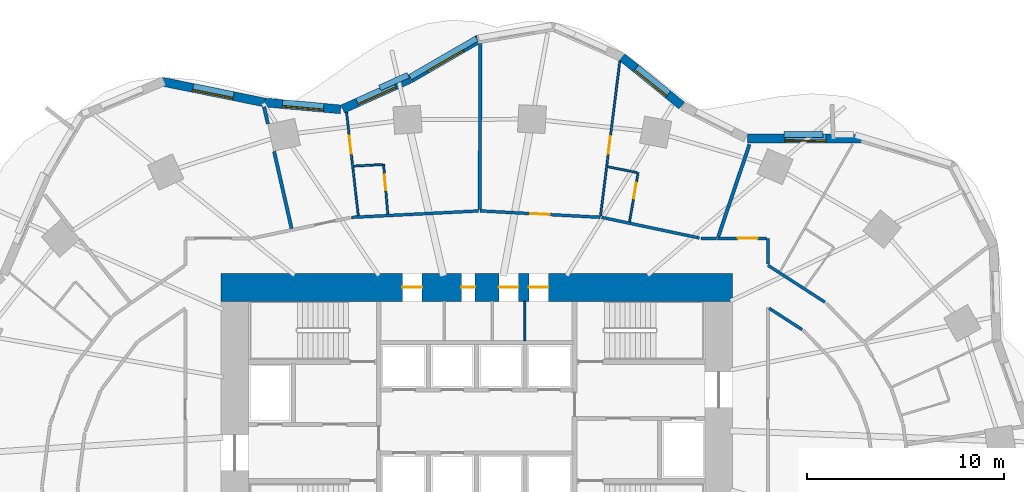
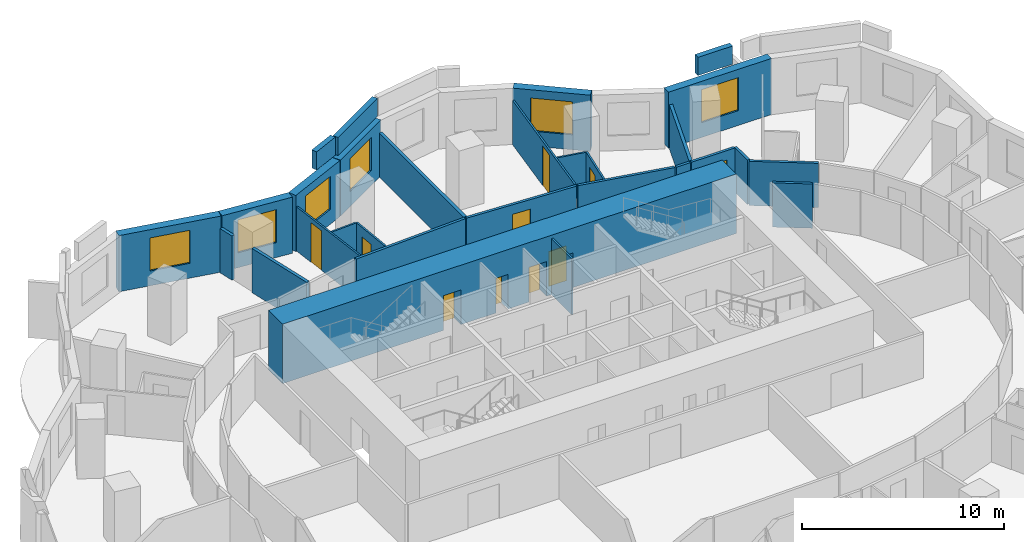
# One storey, part 10 of 14: 29 walls, 10 doors, 6 windows, 16 openings.
"""IFC4 building model written with IfcOpenShell, lengths in metres."""

from ifc_helpers import new_model, si_unit, direction, frame, frame_2d, origin, place, context, subcontext, project, spatial, rectangle, extrude, material, layer, layer_set, type_object, element, fill, save


model = new_model("IFC4")

# Units and contexts
model_context = context("Model", 3, precision=1e-05, world=origin(), true_north=direction((0.0, 1.0)))
body_context = subcontext(model_context, "Body", "Model", "MODEL_VIEW")
ifc_project = project(units=[si_unit("LENGTHUNIT", "METRE"), si_unit("AREAUNIT", "SQUARE_METRE"), si_unit("VOLUMEUNIT", "CUBIC_METRE"), si_unit("PLANEANGLEUNIT", "RADIAN"), si_unit("MASSUNIT", "GRAM", prefix="KILO")], contexts=[model_context])

# Site, building, storey
site_placement = place(None, origin())
site = spatial("IfcSite", under=ifc_project, at=site_placement, CompositionType="ELEMENT")
building_placement = place(site_placement, origin())
building = spatial("IfcBuilding", under=site, at=building_placement, Name="Rubra Terraces Tower", CompositionType="ELEMENT")
storey_placement = place(building_placement, frame((0.0, 0.0, 62.699951171875)))
storey = spatial("IfcBuildingStorey", under=building, at=storey_placement, Name="L13", CompositionType="ELEMENT", Elevation=62.699951171875)

# Walls
ifc_material_1 = material(Name="Twin plasterboard on staggered steel stud, acoustic mineral wool", Category="steel")
ifc_layer_1 = layer(ifc_material_1, 0.175048828125)
ifc_layer_set_1 = layer_set([ifc_layer_1], Name="Twin plasterboard on staggered steel stud, acoustic mineral wool")
wall_type_1 = type_object("IfcWallType", Name="ACOUSTIC PARTY WALL 175", PredefinedType="PARTITIONING", material=ifc_layer_set_1)
wall_1_placement = place(storey_placement, frame((13.86279296875, 18.57177734375, 0.0), z_axis=(0.0, 0.0, 1.0), x_axis=(-0.320254541028, -0.947331530643, 0.0)))
element("IfcWall", 1, at=wall_1_placement, inside=storey, type_object=wall_type_1, Name="PARTITION", PredefinedType="PARTITIONING", context=body_context, shape_type="SweptSolid", body=[
    extrude(rectangle(XDim=4.9619140625, YDim=0.175048828125, at=frame_2d((2.48095703125, 0.0))), origin(), (0.0, 0.0, 1.0), 2.679931640625),
])
wall_2_placement = place(storey_placement, frame((0.17919921875, 23.686767578125, 0.0), z_axis=(0.0, 0.0, 1.0), x_axis=(-0.001768574544, -0.999998436071, 0.0)))
element("IfcWall", 2, at=wall_2_placement, inside=storey, type_object=wall_type_1, Name="PARTITION", PredefinedType="PARTITIONING", context=body_context, shape_type="SweptSolid", body=[
    extrude(rectangle(XDim=8.420654296875, YDim=0.175048828125, at=frame_2d((4.21044921875, 0.0))), origin(), (0.0, 0.0, 1.0), 2.679931640625),
])
wall_3_placement = place(storey_placement, frame((-10.80029296875, 20.47900390625, 0.0), z_axis=(0.0, 0.0, 1.0), x_axis=(0.220786026072, -0.975322270171, 0.0)))
element("IfcWall", 3, at=wall_3_placement, inside=storey, type_object=wall_type_1, Name="PARTITION", PredefinedType="PARTITIONING", context=body_context, shape_type="SweptSolid", body=[
    extrude(rectangle(XDim=0.884521484375, YDim=0.175048828125, at=frame_2d((0.4423828125, 0.0))), origin(), (0.0, 0.0, 1.0), 2.679931640625),
])
wall_4_placement = place(storey_placement, frame((-10.28759765625, 18.21142578125, 0.0), z_axis=(0.0, 0.0, 1.0), x_axis=(0.220522195693, -0.975381956572, 0.0)))
element("IfcWall", 4, at=wall_4_placement, inside=storey, type_object=wall_type_1, Name="PARTITION", PredefinedType="PARTITIONING", context=body_context, shape_type="SweptSolid", body=[
    extrude(rectangle(XDim=4.014404296875, YDim=0.175048828125, at=frame_2d((2.00732421875, 0.0))), origin(), (0.0, 0.0, 1.0), 2.679931640625),
])

# Wall, opening, window
ifc_material_2 = material(Name="Brick masonry red-brown", Category="masonry")
ifc_layer_2 = layer(ifc_material_2, 0.449951171875)
ifc_layer_set_2 = layer_set([ifc_layer_2], Name="Brick masonry red-brown")
wall_type_2 = type_object("IfcWallType", Name="Brick facade wall 450", PredefinedType="SOLIDWALL", material=ifc_layer_set_2)
wall_5_placement = place(storey_placement, frame((19.650390625, 18.85693359375, 0.0), z_axis=(0.0, 0.0, 1.0), x_axis=(-0.999994750773, 0.003240127552, 0.0)))
wall_5 = element("IfcWall", 5, at=wall_5_placement, inside=storey, type_object=wall_type_2, Name="Facade wall L13 bay 6", PredefinedType="SOLIDWALL", context=body_context, shape_type="SweptSolid", body=[
    extrude(rectangle(XDim=5.877197265625, YDim=0.449951171875, at=frame_2d((2.9384765625, 0.0))), origin(), (0.0, 0.0, 1.0), 3.400146484375),
])
opening_1_placement = place(wall_5_placement, frame((1.888671875, 0.0, 0.89990234375)))
opening_1 = element("IfcOpeningElement", 6, at=opening_1_placement, cuts=wall_5, Name="Opening W1", PredefinedType="OPENING", context=body_context, shape_type="SweptSolid", body=[
    extrude(rectangle(XDim=2.10009765625, YDim=2.0, at=frame_2d((1.050048828125, 1.0))), frame((0.0, 0.23486328125, 0.0), z_axis=(0.0, -1.0, 0.0), x_axis=(1.0, 0.0, 0.0)), (0.0, 0.0, 1.0), 0.469970703125),
])
ifc_material_3 = material(Name="Clear glass in aluminium frame", Category="aluminium")
window_type = type_object("IfcWindowType", Name="Fixed deep-set window 2100 x 2000", PartitioningType="SINGLE_PANEL", PredefinedType="WINDOW", material=ifc_material_3)
window_1_placement = place(opening_1_placement, origin())
window_1 = element("IfcWindow", 7, at=window_1_placement, inside=storey, type_object=window_type, Name="Window L13 bay 6", OverallHeight=2.0, OverallWidth=2.10009765625, PartitioningType="SINGLE_PANEL", PredefinedType="WINDOW", context=body_context, shape_type="SweptSolid", body=[
    extrude(rectangle(XDim=2.10009765625, YDim=2.0, at=frame_2d((1.050048828125, 1.0))), frame((0.0, 0.135009765625, 0.0), z_axis=(0.0, -1.0, 0.0), x_axis=(1.0, 0.0, 0.0)), (0.0, 0.0, 1.0), 0.06005859375),
])
fill(opening_1, window_1)

wall_6_placement = place(storey_placement, frame((10.421875, 20.53857421875, 0.0), z_axis=(0.0, 0.0, 1.0), x_axis=(-0.775999170522, 0.63073392754, 0.0)))
wall_6 = element("IfcWall", 8, at=wall_6_placement, inside=storey, type_object=wall_type_2, Name="Facade wall L13 bay 8", PredefinedType="SOLIDWALL", context=body_context, shape_type="SweptSolid", body=[
    extrude(rectangle(XDim=3.902587890625, YDim=0.449951171875, at=frame_2d((1.951171875, 0.0))), origin(), (0.0, 0.0, 1.0), 3.400146484375),
])
opening_2_placement = place(wall_6_placement, frame((0.901123046875, 0.0, 0.89990234375)))
opening_2 = element("IfcOpeningElement", 9, at=opening_2_placement, cuts=wall_6, Name="Opening W1", PredefinedType="OPENING", context=body_context, shape_type="SweptSolid", body=[
    extrude(rectangle(XDim=2.10009765625, YDim=2.0, at=frame_2d((1.050048828125, 1.0))), frame((0.0, 0.23486328125, 0.0), z_axis=(0.0, -1.0, 0.0), x_axis=(1.0, 0.0, 0.0)), (0.0, 0.0, 1.0), 0.469970703125),
])
window_2_placement = place(opening_2_placement, origin())
window_2 = element("IfcWindow", 10, at=window_2_placement, inside=storey, type_object=window_type, Name="Window L13 bay 8", OverallHeight=2.0, OverallWidth=2.10009765625, PartitioningType="SINGLE_PANEL", PredefinedType="WINDOW", context=body_context, shape_type="SweptSolid", body=[
    extrude(rectangle(XDim=2.10009765625, YDim=2.0, at=frame_2d((1.050048828125, 1.0))), frame((0.0, 0.135009765625, 0.0), z_axis=(0.0, -1.0, 0.0), x_axis=(1.0, 0.0, 0.0)), (0.0, 0.0, 1.0), 0.06005859375),
])
fill(opening_2, window_2)

wall_7_placement = place(storey_placement, frame((0.109375, 23.92041015625, 0.0), z_axis=(0.0, 0.0, 1.0), x_axis=(-0.865557769603, -0.500809092848, 0.0)))
wall_7 = element("IfcWall", 11, at=wall_7_placement, inside=storey, type_object=wall_type_2, Name="Facade wall L13 bay 11", PredefinedType="SOLIDWALL", context=body_context, shape_type="SweptSolid", body=[
    extrude(rectangle(XDim=4.024658203125, YDim=0.449951171875, at=frame_2d((2.01220703125, 0.0))), origin(), (0.0, 0.0, 1.0), 3.400146484375),
])
opening_3_placement = place(wall_7_placement, frame((0.96240234375, 0.0, 0.89990234375)))
opening_3 = element("IfcOpeningElement", 12, at=opening_3_placement, cuts=wall_7, Name="Opening W1", PredefinedType="OPENING", context=body_context, shape_type="SweptSolid", body=[
    extrude(rectangle(XDim=2.10009765625, YDim=2.0, at=frame_2d((1.050048828125, 1.0))), frame((0.0, 0.23486328125, 0.0), z_axis=(0.0, -1.0, 0.0), x_axis=(1.0, 0.0, 0.0)), (0.0, 0.0, 1.0), 0.469970703125),
])
window_3_placement = place(opening_3_placement, origin())
window_3 = element("IfcWindow", 13, at=window_3_placement, inside=storey, type_object=window_type, Name="Window L13 bay 11", OverallHeight=2.0, OverallWidth=2.10009765625, PartitioningType="SINGLE_PANEL", PredefinedType="WINDOW", context=body_context, shape_type="SweptSolid", body=[
    extrude(rectangle(XDim=2.10009765625, YDim=2.0, at=frame_2d((1.050048828125, 1.0))), frame((0.0, 0.135009765625, 0.0), z_axis=(0.0, -1.0, 0.0), x_axis=(1.0, 0.0, 0.0)), (0.0, 0.0, 1.0), 0.06005859375),
])
fill(opening_3, window_3)

wall_8_placement = place(storey_placement, frame((-3.395263671875, 21.894287109375, 0.0), z_axis=(0.0, 0.0, 1.0), x_axis=(-0.912496703183, -0.409084058208, 0.0)))
wall_8 = element("IfcWall", 14, at=wall_8_placement, inside=storey, type_object=wall_type_2, Name="Facade wall L13 bay 12", PredefinedType="SOLIDWALL", context=body_context, shape_type="SweptSolid", body=[
    extrude(rectangle(XDim=3.73486328125, YDim=0.449951171875, at=frame_2d((1.867431640625, 0.0))), origin(), (0.0, 0.0, 1.0), 3.400146484375),
])
opening_4_placement = place(wall_8_placement, frame((0.8173828125, 0.0, 0.89990234375)))
opening_4 = element("IfcOpeningElement", 15, at=opening_4_placement, cuts=wall_8, Name="Opening W1", PredefinedType="OPENING", context=body_context, shape_type="SweptSolid", body=[
    extrude(rectangle(XDim=2.10009765625, YDim=2.0, at=frame_2d((1.050048828125, 1.0))), frame((0.0, 0.23486328125, 0.0), z_axis=(0.0, -1.0, 0.0), x_axis=(1.0, 0.0, 0.0)), (0.0, 0.0, 1.0), 0.469970703125),
])
window_4_placement = place(opening_4_placement, origin())
window_4 = element("IfcWindow", 16, at=window_4_placement, inside=storey, type_object=window_type, Name="Window L13 bay 12", OverallHeight=2.0, OverallWidth=2.10009765625, PartitioningType="SINGLE_PANEL", PredefinedType="WINDOW", context=body_context, shape_type="SweptSolid", body=[
    extrude(rectangle(XDim=2.10009765625, YDim=2.0, at=frame_2d((1.050048828125, 1.0))), frame((0.0, 0.135009765625, 0.0), z_axis=(0.0, -1.0, 0.0), x_axis=(1.0, 0.0, 0.0)), (0.0, 0.0, 1.0), 0.06005859375),
])
fill(opening_4, window_4)

wall_9_placement = place(storey_placement, frame((-6.905517578125, 20.348876953125, 0.0), z_axis=(0.0, 0.0, 1.0), x_axis=(-0.995947174038, 0.089940127451, 0.0)))
wall_9 = element("IfcWall", 17, at=wall_9_placement, inside=storey, type_object=wall_type_2, Name="Facade wall L13 bay 13", PredefinedType="SOLIDWALL", context=body_context, shape_type="SweptSolid", body=[
    extrude(rectangle(XDim=3.84375, YDim=0.449951171875, at=frame_2d((1.921875, 0.0))), origin(), (0.0, 0.0, 1.0), 3.400146484375),
])
opening_5_placement = place(wall_9_placement, frame((0.871826171875, 0.0, 0.89990234375)))
opening_5 = element("IfcOpeningElement", 18, at=opening_5_placement, cuts=wall_9, Name="Opening W1", PredefinedType="OPENING", context=body_context, shape_type="SweptSolid", body=[
    extrude(rectangle(XDim=2.10009765625, YDim=2.0, at=frame_2d((1.050048828125, 1.0))), frame((0.0, 0.23486328125, 0.0), z_axis=(0.0, -1.0, 0.0), x_axis=(1.0, 0.0, 0.0)), (0.0, 0.0, 1.0), 0.469970703125),
])
window_5_placement = place(opening_5_placement, origin())
window_5 = element("IfcWindow", 19, at=window_5_placement, inside=storey, type_object=window_type, Name="Window L13 bay 13", OverallHeight=2.0, OverallWidth=2.10009765625, PartitioningType="SINGLE_PANEL", PredefinedType="WINDOW", context=body_context, shape_type="SweptSolid", body=[
    extrude(rectangle(XDim=2.10009765625, YDim=2.0, at=frame_2d((1.050048828125, 1.0))), frame((0.0, 0.135009765625, 0.0), z_axis=(0.0, -1.0, 0.0), x_axis=(1.0, 0.0, 0.0)), (0.0, 0.0, 1.0), 0.06005859375),
])
fill(opening_5, window_5)

wall_10_placement = place(storey_placement, frame((-10.760009765625, 20.697998046875, 0.0), z_axis=(0.0, 0.0, 1.0), x_axis=(-0.980072890434, 0.198638187256, 0.0)))
wall_10 = element("IfcWall", 20, at=wall_10_placement, inside=storey, type_object=wall_type_2, Name="Facade wall L13 bay 14", PredefinedType="SOLIDWALL", context=body_context, shape_type="SweptSolid", body=[
    extrude(rectangle(XDim=5.35986328125, YDim=0.449951171875, at=frame_2d((2.679931640625, 0.0))), origin(), (0.0, 0.0, 1.0), 3.400146484375),
])
opening_6_placement = place(wall_10_placement, frame((1.630126953125, 0.0, 0.89990234375)))
opening_6 = element("IfcOpeningElement", 21, at=opening_6_placement, cuts=wall_10, Name="Opening W1", PredefinedType="OPENING", context=body_context, shape_type="SweptSolid", body=[
    extrude(rectangle(XDim=2.10009765625, YDim=2.0, at=frame_2d((1.050048828125, 1.0))), frame((0.0, 0.23486328125, 0.0), z_axis=(0.0, -1.0, 0.0), x_axis=(1.0, 0.0, 0.0)), (0.0, 0.0, 1.0), 0.469970703125),
])
window_6_placement = place(opening_6_placement, origin())
window_6 = element("IfcWindow", 22, at=window_6_placement, inside=storey, type_object=window_type, Name="Window L13 bay 14", OverallHeight=2.0, OverallWidth=2.10009765625, PartitioningType="SINGLE_PANEL", PredefinedType="WINDOW", context=body_context, shape_type="SweptSolid", body=[
    extrude(rectangle(XDim=2.10009765625, YDim=2.0, at=frame_2d((1.050048828125, 1.0))), frame((0.0, 0.135009765625, 0.0), z_axis=(0.0, -1.0, 0.0), x_axis=(1.0, 0.0, 0.0)), (0.0, 0.0, 1.0), 0.06005859375),
])
fill(opening_6, window_6)

# Walls
ifc_layer_3 = layer(ifc_material_2, 0.300048828125)
ifc_layer_set_3 = layer_set([ifc_layer_3], Name="Brick masonry red-brown")
wall_type_3 = type_object("IfcWallType", Name="Brick parapet 300", PredefinedType="PARAPET", material=ifc_layer_set_3)
wall_11_placement = place(storey_placement, frame((17.596435546875, 19.069091796875, 3.60009765625), z_axis=(0.0, 0.0, 1.0), x_axis=(-0.999994488127, 0.003320198128, 0.0)))
element("IfcWall", 23, at=wall_11_placement, inside=storey, type_object=wall_type_3, Name="Parapet L13 bay 6.2", PredefinedType="PARAPET", context=body_context, shape_type="SweptSolid", body=[
    extrude(rectangle(XDim=1.9853515625, YDim=0.300048828125, at=frame_2d((0.99267578125, 0.0))), origin(), (0.0, 0.0, 1.0), 1.099853515625),
])
wall_12_placement = place(storey_placement, frame((0.002197265625, 23.945068359375, 3.60009765625), z_axis=(0.0, 0.0, 1.0), x_axis=(-0.865550152763, -0.500822256945, 0.0)))
element("IfcWall", 24, at=wall_12_placement, inside=storey, type_object=wall_type_3, Name="Parapet L13 bay 11", PredefinedType="PARAPET", context=body_context, shape_type="SweptSolid", body=[
    extrude(rectangle(XDim=3.91259765625, YDim=0.300048828125, at=frame_2d((1.956298828125, 0.0))), origin(), (0.0, 0.0, 1.0), 1.099853515625),
])
wall_13_placement = place(storey_placement, frame((-3.4775390625, 22.0869140625, 3.60009765625), z_axis=(0.0, 0.0, 1.0), x_axis=(-0.91246752391, -0.409149138835, 0.0)))
element("IfcWall", 25, at=wall_13_placement, inside=storey, type_object=wall_type_3, Name="Parapet L13 bay 12", PredefinedType="PARAPET", context=body_context, shape_type="SweptSolid", body=[
    extrude(rectangle(XDim=1.578857421875, YDim=0.300048828125, at=frame_2d((0.78955078125, 0.0))), origin(), (0.0, 0.0, 1.0), 1.099853515625),
])

# Wall, openings, doors
ifc_material_4 = material(Name="Concrete C70", Category="concrete")
ifc_layer_4 = layer(ifc_material_4, 1.39990234375)
ifc_layer_set_4 = layer_set([ifc_layer_4], Name="Concrete C70")
wall_type_4 = type_object("IfcWallType", Name="CORE WALL 1400 C70", PredefinedType="SHEAR", material=ifc_layer_set_4)
wall_14_placement = place(storey_placement, frame((-13.0, 11.300048828125, 0.0), z_axis=(0.0, 0.0, 1.0), x_axis=(1.0, 0.0, 0.0)))
wall_14 = element("IfcWall", 26, at=wall_14_placement, inside=storey, type_object=wall_type_4, Name="CORE WALL N L13", PredefinedType="SHEAR", context=body_context, shape_type="SweptSolid", body=[
    extrude(rectangle(XDim=26.0, YDim=1.39990234375, at=frame_2d((13.0, 0.0))), origin(), (0.0, 0.0, 1.0), 3.60009765625),
])
opening_7_placement = place(wall_14_placement, frame((9.22509765625, 0.0, 0.0)))
opening_7 = element("IfcOpeningElement", 27, at=opening_7_placement, cuts=wall_14, Name="Opening L13.C23", PredefinedType="OPENING", context=body_context, shape_type="SweptSolid", body=[
    extrude(rectangle(XDim=1.0, YDim=2.10009765625, at=frame_2d((0.5, 1.050048828125))), frame((0.0, 0.7099609375, 0.0), z_axis=(0.0, -1.0, 0.0), x_axis=(1.0, 0.0, 0.0)), (0.0, 0.0, 1.0), 1.419921875),
])
opening_8_placement = place(wall_14_placement, frame((12.22509765625, 0.0, 0.0)))
opening_8 = element("IfcOpeningElement", 28, at=opening_8_placement, cuts=wall_14, Name="Opening L13.C24", PredefinedType="OPENING", context=body_context, shape_type="SweptSolid", body=[
    extrude(rectangle(XDim=0.699951171875, YDim=2.10009765625, at=frame_2d((0.35009765625, 1.050048828125))), frame((0.0, 0.7099609375, 0.0), z_axis=(0.0, -1.0, 0.0), x_axis=(1.0, 0.0, 0.0)), (0.0, 0.0, 1.0), 1.419921875),
])
opening_9_placement = place(wall_14_placement, frame((14.125, 0.0, 0.0)))
opening_9 = element("IfcOpeningElement", 29, at=opening_9_placement, cuts=wall_14, Name="Opening L13.C25", PredefinedType="OPENING", context=body_context, shape_type="SweptSolid", body=[
    extrude(rectangle(XDim=1.0, YDim=2.10009765625, at=frame_2d((0.5, 1.050048828125))), frame((0.0, 0.7099609375, 0.0), z_axis=(0.0, -1.0, 0.0), x_axis=(1.0, 0.0, 0.0)), (0.0, 0.0, 1.0), 1.419921875),
])
opening_10_placement = place(wall_14_placement, frame((15.64990234375, 0.0, 0.0)))
opening_10 = element("IfcOpeningElement", 30, at=opening_10_placement, cuts=wall_14, Name="Opening L13.C26", PredefinedType="OPENING", context=body_context, shape_type="SweptSolid", body=[
    extrude(rectangle(XDim=1.0, YDim=2.10009765625, at=frame_2d((0.5, 1.050048828125))), frame((0.0, 0.7099609375, 0.0), z_axis=(0.0, -1.0, 0.0), x_axis=(1.0, 0.0, 0.0)), (0.0, 0.0, 1.0), 1.419921875),
])
ifc_material_5 = material(Name="Painted steel", Category="steel")
door_type_1 = type_object("IfcDoorType", Name="Fire door 1000x2100 single", OperationType="NOTDEFINED", PredefinedType="DOOR", material=ifc_material_5)
door_1_placement = place(opening_7_placement, origin())
door_1 = element("IfcDoor", 31, at=door_1_placement, inside=storey, type_object=door_type_1, Name="Ice and vending room door", OperationType="SINGLE_SWING_LEFT", OverallHeight=2.10009765625, OverallWidth=1.0, PredefinedType="DOOR", context=body_context, shape_type="SweptSolid", body=[
    extrude(rectangle(XDim=1.0, YDim=2.10009765625, at=frame_2d((0.5, 1.050048828125))), frame((0.0, 0.02490234375, 0.0), z_axis=(0.0, -1.0, 0.0), x_axis=(1.0, 0.0, 0.0)), (0.0, 0.0, 1.0), 0.050048828125),
])
fill(opening_7, door_1)
door_2_placement = place(opening_9_placement, origin())
door_2 = element("IfcDoor", 32, at=door_2_placement, inside=storey, type_object=door_type_1, Name="Accessible WC door", OperationType="SINGLE_SWING_LEFT", OverallHeight=2.10009765625, OverallWidth=1.0, PredefinedType="DOOR", context=body_context, shape_type="SweptSolid", body=[
    extrude(rectangle(XDim=1.0, YDim=2.10009765625, at=frame_2d((0.5, 1.050048828125))), frame((0.0, 0.02490234375, 0.0), z_axis=(0.0, -1.0, 0.0), x_axis=(1.0, 0.0, 0.0)), (0.0, 0.0, 1.0), 0.050048828125),
])
fill(opening_9, door_2)
door_3_placement = place(opening_10_placement, origin())
door_3 = element("IfcDoor", 33, at=door_3_placement, inside=storey, type_object=door_type_1, Name="Refuse room door", OperationType="SINGLE_SWING_RIGHT", OverallHeight=2.10009765625, OverallWidth=1.0, PredefinedType="DOOR", context=body_context, shape_type="SweptSolid", body=[
    extrude(rectangle(XDim=1.0, YDim=2.10009765625, at=frame_2d((0.5, 1.050048828125))), frame((0.0, 0.02490234375, 0.0), z_axis=(0.0, -1.0, 0.0), x_axis=(1.0, 0.0, 0.0)), (0.0, 0.0, 1.0), 0.050048828125),
])
fill(opening_10, door_3)
door_type_2 = type_object("IfcDoorType", Name="Riser access door 700x2100 single", OperationType="NOTDEFINED", PredefinedType="DOOR", material=ifc_material_5)
door_4_placement = place(opening_8_placement, origin())
door_4 = element("IfcDoor", 34, at=door_4_placement, inside=storey, type_object=door_type_2, Name="Telecoms room door", OperationType="SINGLE_SWING_RIGHT", OverallHeight=2.10009765625, OverallWidth=0.699951171875, PredefinedType="DOOR", context=body_context, shape_type="SweptSolid", body=[
    extrude(rectangle(XDim=0.699951171875, YDim=2.10009765625, at=frame_2d((0.35009765625, 1.050048828125))), frame((0.0, 0.02490234375, 0.0), z_axis=(0.0, -1.0, 0.0), x_axis=(1.0, 0.0, 0.0)), (0.0, 0.0, 1.0), 0.050048828125),
])
fill(opening_8, door_4)

# Walls
ifc_material_6 = material(Name="Plasterboard on steel stud, mineral wool infill", Category="steel")
ifc_layer_5 = layer(ifc_material_6, 0.14990234375)
ifc_layer_set_5 = layer_set([ifc_layer_5], Name="Plasterboard on steel stud, mineral wool infill")
wall_type_5 = type_object("IfcWallType", Name="CORRIDOR PARTITION 150", PredefinedType="PARTITIONING", material=ifc_layer_set_5)
wall_15_placement = place(storey_placement, frame((17.691162109375, 10.55615234375, 0.0), z_axis=(0.0, 0.0, 1.0), x_axis=(-0.839564450265, 0.54326009779, 0.0)))
element("IfcWall", 35, at=wall_15_placement, inside=storey, type_object=wall_type_5, Name="PARTITION", PredefinedType="PARTITIONING", context=body_context, shape_type="SweptSolid", body=[
    extrude(rectangle(XDim=3.443359375, YDim=0.14990234375, at=frame_2d((1.7216796875, 0.0))), origin(), (0.0, 0.0, 1.0), 2.679931640625),
])
wall_16_placement = place(storey_placement, frame((14.80029296875, 12.501708984375, 0.0), z_axis=(0.0, 0.0, 1.0), x_axis=(-0.000188040613, 0.99999998232, 0.0)))
element("IfcWall", 36, at=wall_16_placement, inside=storey, type_object=wall_type_5, Name="PARTITION", PredefinedType="PARTITIONING", context=body_context, shape_type="SweptSolid", body=[
    extrude(rectangle(XDim=1.29833984375, YDim=0.14990234375, at=frame_2d((0.649169921875, 0.0))), origin(), (0.0, 0.0, 1.0), 2.679931640625),
])

# Wall, opening, door
wall_17_placement = place(storey_placement, frame((14.72509765625, 13.800048828125, 0.0), z_axis=(0.0, 0.0, 1.0), x_axis=(-1.0, 0.0, 0.0)))
wall_17 = element("IfcWall", 37, at=wall_17_placement, inside=storey, type_object=wall_type_5, Name="PARTITION", PredefinedType="PARTITIONING", context=body_context, shape_type="SweptSolid", body=[
    extrude(rectangle(XDim=2.4755859375, YDim=0.14990234375, at=frame_2d((1.23779296875, 0.0))), origin(), (0.0, 0.0, 1.0), 2.679931640625),
])
opening_11_placement = place(wall_17_placement, frame((0.449951171875, 0.0, 0.0)))
opening_11 = element("IfcOpeningElement", 38, at=opening_11_placement, cuts=wall_17, Name="Opening 13-103", PredefinedType="OPENING", context=body_context, shape_type="SweptSolid", body=[
    extrude(rectangle(XDim=1.0, YDim=2.10009765625, at=frame_2d((0.5, 1.050048828125))), frame((0.0, 0.0849609375, 0.0), z_axis=(0.0, -1.0, 0.0), x_axis=(1.0, 0.0, 0.0)), (0.0, 0.0, 1.0), 0.169921875),
])
ifc_material_7 = material(Name="Painted timber door leaf", Category="wood")
door_type_3 = type_object("IfcDoorType", Name="ROOM DOOR 1000 X 2100", OperationType="SINGLE_SWING_LEFT", PredefinedType="DOOR", material=ifc_material_7)
door_5_placement = place(opening_11_placement, origin())
door_5 = element("IfcDoor", 39, at=door_5_placement, inside=storey, type_object=door_type_3, Name="DOOR 13-103", OperationType="SINGLE_SWING_RIGHT", OverallHeight=2.10009765625, OverallWidth=1.0, PredefinedType="DOOR", context=body_context, shape_type="SweptSolid", body=[
    extrude(rectangle(XDim=1.0, YDim=2.10009765625, at=frame_2d((0.5, 1.050048828125))), frame((0.0, 0.02490234375, 0.0), z_axis=(0.0, -1.0, 0.0), x_axis=(1.0, 0.0, 0.0)), (0.0, 0.0, 1.0), 0.050048828125),
])
fill(opening_11, door_5)

# Walls
wall_18_placement = place(storey_placement, frame((12.174560546875, 13.800048828125, 0.0), z_axis=(0.0, 0.0, 1.0), x_axis=(-1.0, 0.0, 0.0)))
element("IfcWall", 40, at=wall_18_placement, inside=storey, type_object=wall_type_5, Name="PARTITION", PredefinedType="PARTITIONING", context=body_context, shape_type="SweptSolid", body=[
    extrude(rectangle(XDim=0.78515625, YDim=0.14990234375, at=frame_2d((0.392578125, 0.0))), origin(), (0.0, 0.0, 1.0), 2.679931640625),
])
wall_19_placement = place(storey_placement, frame((11.31591796875, 13.8154296875, 0.0), z_axis=(0.0, 0.0, 1.0), x_axis=(-0.978460774853, 0.206432827025, 0.0)))
element("IfcWall", 41, at=wall_19_placement, inside=storey, type_object=wall_type_5, Name="PARTITION", PredefinedType="PARTITIONING", context=body_context, shape_type="SweptSolid", body=[
    extrude(rectangle(XDim=5.06884765625, YDim=0.14990234375, at=frame_2d((2.534423828125, 0.0))), origin(), (0.0, 0.0, 1.0), 2.679931640625),
])

# Wall, opening, door
wall_20_placement = place(storey_placement, frame((6.281494140625, 14.86572265625, 0.0), z_axis=(0.0, 0.0, 1.0), x_axis=(-0.998587832803, 0.053125701673, 0.0)))
wall_20 = element("IfcWall", 42, at=wall_20_placement, inside=storey, type_object=wall_type_5, Name="PARTITION", PredefinedType="PARTITIONING", context=body_context, shape_type="SweptSolid", body=[
    extrude(rectangle(XDim=6.125732421875, YDim=0.14990234375, at=frame_2d((3.06298828125, 0.0))), origin(), (0.0, 0.0, 1.0), 2.679931640625),
])
opening_12_placement = place(wall_20_placement, frame((2.56103515625, 0.0, 0.0)))
opening_12 = element("IfcOpeningElement", 43, at=opening_12_placement, cuts=wall_20, Name="Opening 13-106", PredefinedType="OPENING", context=body_context, shape_type="SweptSolid", body=[
    extrude(rectangle(XDim=1.0, YDim=2.10009765625, at=frame_2d((0.5, 1.050048828125))), frame((0.0, 0.0849609375, 0.0), z_axis=(0.0, -1.0, 0.0), x_axis=(1.0, 0.0, 0.0)), (0.0, 0.0, 1.0), 0.169921875),
])
door_6_placement = place(opening_12_placement, origin())
door_6 = element("IfcDoor", 44, at=door_6_placement, inside=storey, type_object=door_type_3, Name="DOOR 13-106", OperationType="SINGLE_SWING_RIGHT", OverallHeight=2.10009765625, OverallWidth=1.0, PredefinedType="DOOR", context=body_context, shape_type="SweptSolid", body=[
    extrude(rectangle(XDim=1.0, YDim=2.10009765625, at=frame_2d((0.5, 1.050048828125))), frame((0.0, 0.02490234375, 0.0), z_axis=(0.0, -1.0, 0.0), x_axis=(1.0, 0.0, 0.0)), (0.0, 0.0, 1.0), 0.050048828125),
])
fill(opening_12, door_6)

# Walls
wall_21_placement = place(storey_placement, frame((0.08935546875, 15.1875, 0.0), z_axis=(0.0, 0.0, 1.0), x_axis=(-0.998725880164, -0.050464009853, 0.0)))
element("IfcWall", 45, at=wall_21_placement, inside=storey, type_object=wall_type_5, Name="PARTITION", PredefinedType="PARTITIONING", context=body_context, shape_type="SweptSolid", body=[
    extrude(rectangle(XDim=6.453857421875, YDim=0.14990234375, at=frame_2d((3.22705078125, 0.0))), origin(), (0.0, 0.0, 1.0), 2.679931640625),
])
wall_22_placement = place(storey_placement, frame((14.863037109375, 10.242431640625, 0.0), z_axis=(0.0, 0.0, 1.0), x_axis=(0.839530811724, -0.543312079901, 0.0)))
element("IfcWall", 46, at=wall_22_placement, inside=storey, type_object=wall_type_5, Name="PARTITION", PredefinedType="PARTITIONING", context=body_context, shape_type="SweptSolid", body=[
    extrude(rectangle(XDim=1.997802734375, YDim=0.14990234375, at=frame_2d((0.9990234375, 0.0))), origin(), (0.0, 0.0, 1.0), 2.679931640625),
])

# Wall, opening, door
ifc_material_8 = material(Name="Plasterboard on steel stud", Category="steel")
ifc_layer_6 = layer(ifc_material_8, 0.10009765625)
ifc_layer_set_6 = layer_set([ifc_layer_6], Name="Plasterboard on steel stud")
wall_type_6 = type_object("IfcWallType", Name="ROOM PARTITION 100", PredefinedType="PARTITIONING", material=ifc_layer_set_6)
wall_23_placement = place(storey_placement, frame((7.27490234375, 22.794921875, 0.0), z_axis=(0.0, 0.0, 1.0), x_axis=(-0.123890489741, -0.992295896672, 0.0)))
wall_23 = element("IfcWall", 47, at=wall_23_placement, inside=storey, type_object=wall_type_6, Name="PARTITION", PredefinedType="PARTITIONING", context=body_context, shape_type="SweptSolid", body=[
    extrude(rectangle(XDim=7.916015625, YDim=0.10009765625, at=frame_2d((3.9580078125, 0.0))), origin(), (0.0, 0.0, 1.0), 2.679931640625),
])
opening_13_placement = place(wall_23_placement, frame((3.841064453125, 0.0, 0.0)))
opening_13 = element("IfcOpeningElement", 48, at=opening_13_placement, cuts=wall_23, Name="Opening 13-105", PredefinedType="OPENING", context=body_context, shape_type="SweptSolid", body=[
    extrude(rectangle(XDim=0.89990234375, YDim=2.39990234375, at=frame_2d((0.449951171875, 1.199951171875))), frame((0.0, 0.06005859375, 0.0), z_axis=(0.0, -1.0, 0.0), x_axis=(1.0, 0.0, 0.0)), (0.0, 0.0, 1.0), 0.1201171875),
])
ifc_material_9 = material(Name="Veneered timber door leaf, fire-rated", Category="wood")
door_type_4 = type_object("IfcDoorType", Name="SUITE ENTRANCE DOOR 900 X 2400", OperationType="SINGLE_SWING_LEFT", PredefinedType="DOOR", material=ifc_material_9)
door_7_placement = place(opening_13_placement, origin())
door_7 = element("IfcDoor", 49, at=door_7_placement, inside=storey, type_object=door_type_4, Name="DOOR 13-105", OperationType="SINGLE_SWING_LEFT", OverallHeight=2.39990234375, OverallWidth=0.89990234375, PredefinedType="DOOR", context=body_context, shape_type="SweptSolid", body=[
    extrude(rectangle(XDim=0.89990234375, YDim=2.39990234375, at=frame_2d((0.449951171875, 1.199951171875))), frame((0.0, 0.02490234375, 0.0), z_axis=(0.0, -1.0, 0.0), x_axis=(1.0, 0.0, 0.0)), (0.0, 0.0, 1.0), 0.050048828125),
])
fill(opening_13, door_7)

wall_24_placement = place(storey_placement, frame((7.76708984375, 14.640869140625, 0.0), z_axis=(0.0, 0.0, 1.0), x_axis=(0.172985442563, 0.984924381189, 0.0)))
wall_24 = element("IfcWall", 50, at=wall_24_placement, inside=storey, type_object=wall_type_6, Name="PARTITION", PredefinedType="PARTITIONING", context=body_context, shape_type="SweptSolid", body=[
    extrude(rectangle(XDim=2.52490234375, YDim=0.10009765625, at=frame_2d((1.262451171875, 0.0))), origin(), (0.0, 0.0, 1.0), 2.679931640625),
])
opening_14_placement = place(wall_24_placement, frame((1.199951171875, 0.0, 0.0)))
opening_14 = element("IfcOpeningElement", 51, at=opening_14_placement, cuts=wall_24, Name="Opening 13-104", PredefinedType="OPENING", context=body_context, shape_type="SweptSolid", body=[
    extrude(rectangle(XDim=0.800048828125, YDim=2.10009765625, at=frame_2d((0.39990234375, 1.050048828125))), frame((0.0, 0.06005859375, 0.0), z_axis=(0.0, -1.0, 0.0), x_axis=(1.0, 0.0, 0.0)), (0.0, 0.0, 1.0), 0.1201171875),
])
door_type_5 = type_object("IfcDoorType", Name="BATHROOM DOOR 800 X 2100", OperationType="SINGLE_SWING_LEFT", PredefinedType="DOOR", material=ifc_material_7)
door_8_placement = place(opening_14_placement, origin())
door_8 = element("IfcDoor", 52, at=door_8_placement, inside=storey, type_object=door_type_5, Name="DOOR 13-104", OperationType="SINGLE_SWING_LEFT", OverallHeight=2.10009765625, OverallWidth=0.800048828125, PredefinedType="DOOR", context=body_context, shape_type="SweptSolid", body=[
    extrude(rectangle(XDim=0.800048828125, YDim=2.10009765625, at=frame_2d((0.39990234375, 1.050048828125))), frame((0.0, 0.02490234375, 0.0), z_axis=(0.0, -1.0, 0.0), x_axis=(1.0, 0.0, 0.0)), (0.0, 0.0, 1.0), 0.050048828125),
])
fill(opening_14, door_8)

# Wall
wall_25_placement = place(storey_placement, frame((8.15478515625, 17.137451171875, 0.0), z_axis=(0.0, 0.0, 1.0), x_axis=(-0.980758463285, 0.195225092382, 0.0)))
element("IfcWall", 53, at=wall_25_placement, inside=storey, type_object=wall_type_6, Name="PARTITION", PredefinedType="PARTITIONING", context=body_context, shape_type="SweptSolid", body=[
    extrude(rectangle(XDim=1.528076171875, YDim=0.10009765625, at=frame_2d((0.76416015625, 0.0))), origin(), (0.0, 0.0, 1.0), 2.679931640625),
])

# Wall, opening, door
wall_26_placement = place(storey_placement, frame((-6.60986328125, 20.202392578125, 0.0), z_axis=(0.0, 0.0, 1.0), x_axis=(0.113028971682, -0.993591692578, 0.0)))
wall_26 = element("IfcWall", 54, at=wall_26_placement, inside=storey, type_object=wall_type_6, Name="PARTITION", PredefinedType="PARTITIONING", context=body_context, shape_type="SweptSolid", body=[
    extrude(rectangle(XDim=5.28125, YDim=0.10009765625, at=frame_2d((2.640625, 0.0))), origin(), (0.0, 0.0, 1.0), 2.679931640625),
])
opening_15_placement = place(wall_26_placement, frame((1.2060546875, 0.0, 0.0)))
opening_15 = element("IfcOpeningElement", 55, at=opening_15_placement, cuts=wall_26, Name="Opening 13-108", PredefinedType="OPENING", context=body_context, shape_type="SweptSolid", body=[
    extrude(rectangle(XDim=0.89990234375, YDim=2.39990234375, at=frame_2d((0.449951171875, 1.199951171875))), frame((0.0, 0.06005859375, 0.0), z_axis=(0.0, -1.0, 0.0), x_axis=(1.0, 0.0, 0.0)), (0.0, 0.0, 1.0), 0.1201171875),
])
door_9_placement = place(opening_15_placement, origin())
door_9 = element("IfcDoor", 56, at=door_9_placement, inside=storey, type_object=door_type_4, Name="DOOR 13-108", OperationType="SINGLE_SWING_LEFT", OverallHeight=2.39990234375, OverallWidth=0.89990234375, PredefinedType="DOOR", context=body_context, shape_type="SweptSolid", body=[
    extrude(rectangle(XDim=0.89990234375, YDim=2.39990234375, at=frame_2d((0.449951171875, 1.199951171875))), frame((0.0, 0.02490234375, 0.0), z_axis=(0.0, -1.0, 0.0), x_axis=(1.0, 0.0, 0.0)), (0.0, 0.0, 1.0), 0.050048828125),
])
fill(opening_15, door_9)

wall_27_placement = place(storey_placement, frame((-4.512939453125, 15.034912109375, 0.0), z_axis=(0.0, 0.0, 1.0), x_axis=(-0.085277735772, 0.996357218964, 0.0)))
wall_27 = element("IfcWall", 57, at=wall_27_placement, inside=storey, type_object=wall_type_6, Name="PARTITION", PredefinedType="PARTITIONING", context=body_context, shape_type="SweptSolid", body=[
    extrude(rectangle(XDim=2.525146484375, YDim=0.10009765625, at=frame_2d((1.2626953125, 0.0))), origin(), (0.0, 0.0, 1.0), 2.679931640625),
])
opening_16_placement = place(wall_27_placement, frame((1.199951171875, 0.0, 0.0)))
opening_16 = element("IfcOpeningElement", 58, at=opening_16_placement, cuts=wall_27, Name="Opening 13-107", PredefinedType="OPENING", context=body_context, shape_type="SweptSolid", body=[
    extrude(rectangle(XDim=0.800048828125, YDim=2.10009765625, at=frame_2d((0.39990234375, 1.050048828125))), frame((0.0, 0.06005859375, 0.0), z_axis=(0.0, -1.0, 0.0), x_axis=(1.0, 0.0, 0.0)), (0.0, 0.0, 1.0), 0.1201171875),
])
door_10_placement = place(opening_16_placement, origin())
door_10 = element("IfcDoor", 59, at=door_10_placement, inside=storey, type_object=door_type_5, Name="DOOR 13-107", OperationType="SINGLE_SWING_LEFT", OverallHeight=2.10009765625, OverallWidth=0.800048828125, PredefinedType="DOOR", context=body_context, shape_type="SweptSolid", body=[
    extrude(rectangle(XDim=0.800048828125, YDim=2.10009765625, at=frame_2d((0.39990234375, 1.050048828125))), frame((0.0, 0.02490234375, 0.0), z_axis=(0.0, -1.0, 0.0), x_axis=(1.0, 0.0, 0.0)), (0.0, 0.0, 1.0), 0.050048828125),
])
fill(opening_16, door_10)

# Walls
wall_28_placement = place(storey_placement, frame((-4.7783203125, 17.5478515625, 0.0), z_axis=(0.0, 0.0, 1.0), x_axis=(-0.998474099217, -0.055222035383, 0.0)))
element("IfcWall", 60, at=wall_28_placement, inside=storey, type_object=wall_type_6, Name="PARTITION", PredefinedType="PARTITIONING", context=body_context, shape_type="SweptSolid", body=[
    extrude(rectangle(XDim=1.47216796875, YDim=0.10009765625, at=frame_2d((0.736083984375, 0.0))), origin(), (0.0, 0.0, 1.0), 2.679931640625),
])
ifc_material_10 = material(Name="Blockwork", Category="masonry")
ifc_layer_7 = layer(ifc_material_10, 0.10009765625)
ifc_layer_set_7 = layer_set([ifc_layer_7], Name="Blockwork")
wall_type_7 = type_object("IfcWallType", Name="Service partition 100 blockwork", PredefinedType="PARTITIONING", material=ifc_layer_set_7)
wall_29_placement = place(storey_placement, frame((2.449951171875, 8.60009765625, 0.0), z_axis=(0.0, 0.0, 1.0), x_axis=(0.0, 1.0, 0.0)))
element("IfcWall", 61, at=wall_29_placement, inside=storey, type_object=wall_type_7, Name="SERVICE ROOM PARTITION L13", PredefinedType="PARTITIONING", context=body_context, shape_type="SweptSolid", body=[
    extrude(rectangle(XDim=2.0, YDim=0.10009765625, at=frame_2d((1.0, 0.0))), origin(), (0.0, 0.0, 1.0), 3.400146484375),
])

save(model, "model.ifc")
